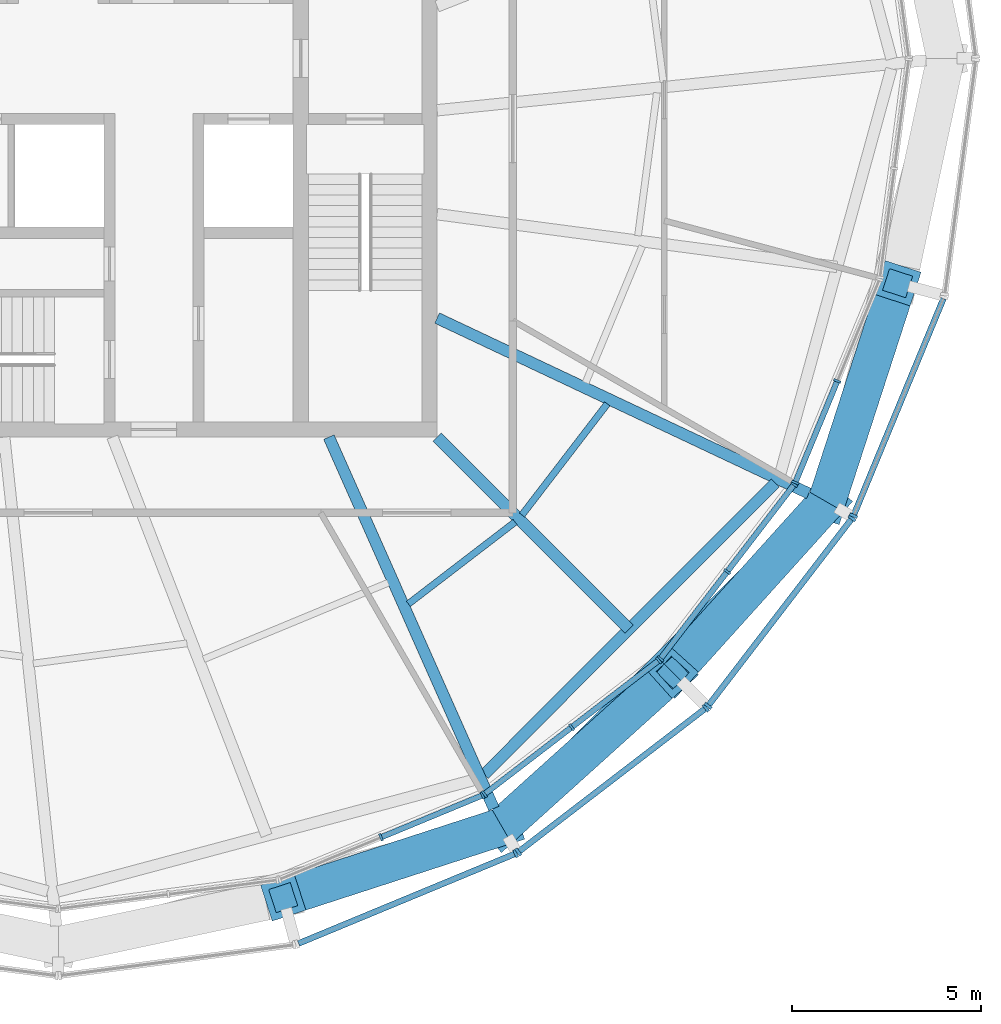
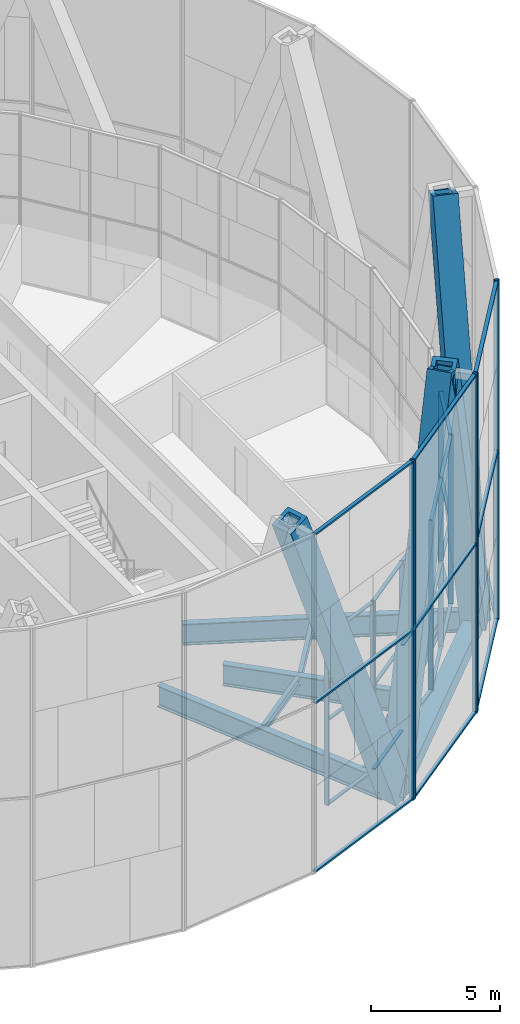
# One storey, part 4 of 22: 48 members, 7 beams, 8 elements without a shape of their own.
"""IFC4 building model written with IfcOpenShell, lengths in metres."""

from ifc_helpers import new_model, si_unit, direction, frame, origin, origin_2d, place, context, subcontext, project, spatial, rectangle, hollow_rectangle, i_section, extrude, material, material_profile, profile_set, type_object, element, aggregate, save


model = new_model("IFC4")

# Units and contexts
model_context = context("Model", 3, precision=1e-05, world=origin(), true_north=direction((0.0, 1.0)))
body_context = subcontext(model_context, "Body", "Model", "MODEL_VIEW")
ifc_project = project(units=[si_unit("LENGTHUNIT", "METRE"), si_unit("AREAUNIT", "SQUARE_METRE"), si_unit("VOLUMEUNIT", "CUBIC_METRE"), si_unit("PLANEANGLEUNIT", "RADIAN"), si_unit("MASSUNIT", "GRAM", prefix="KILO")], contexts=[model_context])

# Site, building, storey
site_placement = place(None, origin())
site = spatial("IfcSite", under=ifc_project, at=site_placement, CompositionType="ELEMENT")
building_placement = place(site_placement, origin())
building = spatial("IfcBuilding", under=site, at=building_placement, Name="Golbaran Civic Tower", CompositionType="ELEMENT")
storey_placement = place(building_placement, frame((0.0, 0.0, 248.0)))
storey = spatial("IfcBuildingStorey", under=building, at=storey_placement, Name="L60", CompositionType="ELEMENT", Elevation=248.0)

# Members
ifc_material_1 = material(Name="Steel S355", Category="steel")
ifc_material_profile_1 = material_profile(ifc_material_1, hollow_rectangle(XDim=1.0, YDim=1.0, WallThickness=0.179931640625, at=origin_2d()), Name="BOX 1000x1000x180")
ifc_profile_set_1 = profile_set([ifc_material_profile_1], Name="Steel S355")
member_type_1 = type_object("IfcMemberType", Name="DIAGRID DIAGONAL BOX 1000x1000x180", PredefinedType="BRACE", material=ifc_profile_set_1)
for number, where, z_axis, x_axis, name in (
    (1, (11.71142578125, -20.284912109375, -0.7099609375), (0.263444958098, 0.237551283293, 0.934968524528), (-0.669666578156, 0.742661884104, 0.0), "Diagonal D14-10R L60-L64"),
    (2, (11.71142578125, -20.284912109375, -0.7099609375), (-0.337445812256, -0.109367082262, 0.934970141292), (0.30831388725, -0.951284682379, 0.0), "Diagonal D14-10L L60-L64"),
    (3, (20.284912109375, -11.71142578125, -0.7099609375), (0.109367082262, 0.337445812256, 0.934970141292), (-0.951284682379, 0.30831388725, 0.0), "Diagonal D14-11R L60-L64"),
    (4, (20.284912109375, -11.71142578125, -0.7099609375), (-0.237551283293, -0.263444958098, 0.934968524528), (0.742661884104, -0.669666578156, 0.0), "Diagonal D14-11L L60-L64"),
):
    element("IfcMember", number, at=place(storey_placement, frame(where, z_axis=z_axis, x_axis=x_axis)), inside=storey, type_object=member_type_1, Name=name, PredefinedType="BRACE", context=body_context, shape_type="SweptSolid", body=[
        extrude(hollow_rectangle(XDim=1.0, YDim=1.0, WallThickness=0.179931640625, at=origin_2d()), origin(), (0.0, 0.0, 1.0), 17.11279296875),
    ])

# Beams
ifc_material_profile_2 = material_profile(ifc_material_1, hollow_rectangle(XDim=0.699951171875, YDim=0.699951171875, WallThickness=0.080078125, at=origin_2d()), Name="BOX 700x700x80")
ifc_profile_set_2 = profile_set([ifc_material_profile_2], Name="Steel S355")
beam_type_1 = type_object("IfcBeamType", Name="DIAGRID RING TIE BOX 700x700x80", PredefinedType="BEAM", material=ifc_profile_set_2)
beam_1_placement = place(storey_placement, frame((11.71142578125, -20.284912109375, -0.7099609375), z_axis=(0.707106781187, 0.707106781187, 0.0), x_axis=(-0.707106781187, 0.707106781187, 0.0)))
element("IfcBeam", 5, at=beam_1_placement, inside=storey, type_object=beam_type_1, Name="Ring tie 300.00 L60", PredefinedType="BEAM", context=body_context, shape_type="SweptSolid", body=[
    extrude(hollow_rectangle(XDim=0.699951171875, YDim=0.699951171875, WallThickness=0.080078125, at=origin_2d()), origin(), (0.0, 0.0, 1.0), 12.124755859375),
])
ifc_material_profile_3 = material_profile(ifc_material_1, i_section(OverallWidth=0.300048828125, OverallDepth=0.800048828125, WebThickness=0.017578125, FlangeThickness=0.032958984375, FilletRadius=0.030029296875, at=origin_2d()), Name="HEB 800")
ifc_profile_set_3 = profile_set([ifc_material_profile_3], Name="Steel S355")
beam_type_2 = type_object("IfcBeamType", Name="EDGE BEAM HEB 800", PredefinedType="BEAM", material=ifc_profile_set_3)
beam_2_placement = place(storey_placement, frame((11.240966796875, -18.905517578125, -0.60009765625), z_axis=(0.70659009574, 0.707623089365, 0.0), x_axis=(-0.707623089365, 0.70659009574, 0.0)))
element("IfcBeam", 6, at=beam_2_placement, inside=storey, type_object=beam_type_2, Name="Edge beam 300.00 L60", PredefinedType="BEAM", context=body_context, shape_type="SweptSolid", body=[
    extrude(i_section(OverallWidth=0.300048828125, OverallDepth=0.800048828125, WebThickness=0.017578125, FlangeThickness=0.032958984375, FilletRadius=0.030029296875, at=origin_2d()), origin(), (0.0, 0.0, 1.0), 10.871826171875),
])
ifc_material_profile_4 = material_profile(ifc_material_1, i_section(OverallWidth=0.179931640625, OverallDepth=0.39990234375, WebThickness=0.008544921875, FlangeThickness=0.013427734375, FilletRadius=0.02099609375, at=origin_2d()), Name="IPE 400")
ifc_profile_set_4 = profile_set([ifc_material_profile_4], Name="Steel S355")
beam_type_3 = type_object("IfcBeamType", Name="FLOOR INFILL BEAM IPE 400", PredefinedType="BEAM", material=ifc_profile_set_4)
beam_3_placement = place(storey_placement, frame((9.24072265625, -14.402587890625, -0.39990234375), z_axis=(0.793341764816, 0.608776514165, 0.0), x_axis=(-0.608776514165, 0.793341764816, 0.0)))
element("IfcBeam", 7, at=beam_3_placement, inside=storey, type_object=beam_type_3, Name="Infill beam 307.50 L60", PredefinedType="BEAM", context=body_context, shape_type="SweptSolid", body=[
    extrude(i_section(OverallWidth=0.179931640625, OverallDepth=0.39990234375, WebThickness=0.008544921875, FlangeThickness=0.013427734375, FilletRadius=0.02099609375, at=origin_2d()), origin(), (0.0, 0.0, 1.0), 3.55029296875),
])
beam_4_placement = place(storey_placement, frame((12.23974609375, -12.055908203125, -0.39990234375), z_axis=(0.608801399042, 0.793322668606, 0.0), x_axis=(-0.793322668606, 0.608801399042, 0.0)))
element("IfcBeam", 8, at=beam_4_placement, inside=storey, type_object=beam_type_3, Name="Infill beam 322.50 L60", PredefinedType="BEAM", context=body_context, shape_type="SweptSolid", body=[
    extrude(i_section(OverallWidth=0.179931640625, OverallDepth=0.39990234375, WebThickness=0.008544921875, FlangeThickness=0.013427734375, FilletRadius=0.02099609375, at=origin_2d()), origin(), (0.0, 0.0, 1.0), 3.699462890625),
])

# Curtain wall, members
ifc_material_2 = material(Name="Aluminium and glass", Category="aluminium")
curtain_wall_type_1 = type_object("IfcCurtainWallType", Name="INNER SKIN CURTAIN WALL EXECUTIVE", PredefinedType="NOTDEFINED", material=ifc_material_2)
curtain_wall_1_placement = place(storey_placement, origin())
curtain_wall_1 = element("IfcCurtainWall", 9, at=curtain_wall_1_placement, inside=storey, type_object=curtain_wall_type_1, Name="Inner skin L60 facet 20 CW2", ObjectType="INNER SKIN", PredefinedType="USERDEFINED")
ifc_material_3 = material(Name="Aluminium", Category="aluminium")
ifc_material_profile_5 = material_profile(ifc_material_3, rectangle(XDim=0.199951171875, YDim=0.06005859375, at=origin_2d()), Name="INNER SKIN CURTAIN WALL EXECUTIVE MULLION")
ifc_profile_set_5 = profile_set([ifc_material_profile_5], Name="Aluminium")
member_type_2 = type_object("IfcMemberType", Name="INNER SKIN CURTAIN WALL EXECUTIVE MULLION", PredefinedType="MULLION", material=ifc_profile_set_5)
member_1_placement = place(storey_placement, frame((8.5185546875, -20.5654296875, 0.0), z_axis=(0.0, 0.0, 1.0), x_axis=(-0.382683432381, 0.923879532505, 0.0)))
member_1 = element("IfcMember", 10, at=member_1_placement, type_object=member_type_2, Name="CW2 mullion 2", PredefinedType="MULLION", context=body_context, shape_type="SweptSolid", body=[
    extrude(rectangle(XDim=0.199951171875, YDim=0.06005859375, at=origin_2d()), origin(), (0.0, 0.0, 1.0), 8.0),
])
member_2_placement = place(storey_placement, frame((11.1982421875, -19.45556640625, 0.0), z_axis=(0.0, 0.0, 1.0), x_axis=(-0.382683432381, 0.923879532505, 0.0)))
member_2 = element("IfcMember", 11, at=member_2_placement, type_object=member_type_2, Name="CW2 mullion 3", PredefinedType="MULLION", context=body_context, shape_type="SweptSolid", body=[
    extrude(rectangle(XDim=0.199951171875, YDim=0.06005859375, at=origin_2d()), origin(), (0.0, 0.0, 1.0), 8.0),
])

curtain_wall_2_placement = place(storey_placement, origin())
curtain_wall_2 = element("IfcCurtainWall", 12, at=curtain_wall_2_placement, inside=storey, type_object=curtain_wall_type_1, Name="Inner skin L60 facet 21 CW2", ObjectType="INNER SKIN", PredefinedType="USERDEFINED")
member_3_placement = place(storey_placement, frame((11.249755859375, -19.42578125, 0.0), z_axis=(0.0, 0.0, 1.0), x_axis=(-0.608761429078, 0.793353340238, 0.0)))
member_3 = element("IfcMember", 13, at=member_3_placement, type_object=member_type_2, Name="CW2 mullion 1", PredefinedType="MULLION", context=body_context, shape_type="SweptSolid", body=[
    extrude(rectangle(XDim=0.199951171875, YDim=0.06005859375, at=origin_2d()), origin(), (0.0, 0.0, 1.0), 8.0),
])
member_4_placement = place(storey_placement, frame((13.551025390625, -17.659912109375, 0.0), z_axis=(0.0, 0.0, 1.0), x_axis=(-0.608761429078, 0.793353340238, 0.0)))
member_4 = element("IfcMember", 14, at=member_4_placement, type_object=member_type_2, Name="CW2 mullion 2", PredefinedType="MULLION", context=body_context, shape_type="SweptSolid", body=[
    extrude(rectangle(XDim=0.199951171875, YDim=0.06005859375, at=origin_2d()), origin(), (0.0, 0.0, 1.0), 8.0),
])
member_5_placement = place(storey_placement, frame((15.85205078125, -15.894287109375, 0.0), z_axis=(0.0, 0.0, 1.0), x_axis=(-0.608761429078, 0.793353340238, 0.0)))
member_5 = element("IfcMember", 15, at=member_5_placement, type_object=member_type_2, Name="CW2 mullion 3", PredefinedType="MULLION", context=body_context, shape_type="SweptSolid", body=[
    extrude(rectangle(XDim=0.199951171875, YDim=0.06005859375, at=origin_2d()), origin(), (0.0, 0.0, 1.0), 8.0),
])

curtain_wall_3_placement = place(storey_placement, origin())
curtain_wall_3 = element("IfcCurtainWall", 16, at=curtain_wall_3_placement, inside=storey, type_object=curtain_wall_type_1, Name="Inner skin L60 facet 22 CW2", ObjectType="INNER SKIN", PredefinedType="USERDEFINED")
member_6_placement = place(storey_placement, frame((15.894287109375, -15.85205078125, 0.0), z_axis=(0.0, 0.0, 1.0), x_axis=(-0.793353340238, 0.608761429078, 0.0)))
member_6 = element("IfcMember", 17, at=member_6_placement, type_object=member_type_2, Name="CW2 mullion 1", PredefinedType="MULLION", context=body_context, shape_type="SweptSolid", body=[
    extrude(rectangle(XDim=0.199951171875, YDim=0.06005859375, at=origin_2d()), origin(), (0.0, 0.0, 1.0), 8.0),
])
member_7_placement = place(storey_placement, frame((17.659912109375, -13.551025390625, 0.0), z_axis=(0.0, 0.0, 1.0), x_axis=(-0.793353340238, 0.608761429078, 0.0)))
member_7 = element("IfcMember", 18, at=member_7_placement, type_object=member_type_2, Name="CW2 mullion 2", PredefinedType="MULLION", context=body_context, shape_type="SweptSolid", body=[
    extrude(rectangle(XDim=0.199951171875, YDim=0.06005859375, at=origin_2d()), origin(), (0.0, 0.0, 1.0), 8.0),
])
member_8_placement = place(storey_placement, frame((19.42578125, -11.249755859375, 0.0), z_axis=(0.0, 0.0, 1.0), x_axis=(-0.793353340238, 0.608761429078, 0.0)))
member_8 = element("IfcMember", 19, at=member_8_placement, type_object=member_type_2, Name="CW2 mullion 3", PredefinedType="MULLION", context=body_context, shape_type="SweptSolid", body=[
    extrude(rectangle(XDim=0.199951171875, YDim=0.06005859375, at=origin_2d()), origin(), (0.0, 0.0, 1.0), 8.0),
])

curtain_wall_4_placement = place(storey_placement, origin())
curtain_wall_4 = element("IfcCurtainWall", 20, at=curtain_wall_4_placement, inside=storey, type_object=curtain_wall_type_1, Name="Inner skin L60 facet 23 CW2", ObjectType="INNER SKIN", PredefinedType="USERDEFINED")
member_9_placement = place(storey_placement, frame((19.45556640625, -11.1982421875, 0.0), z_axis=(0.0, 0.0, 1.0), x_axis=(-0.923879532505, 0.382683432381, 0.0)))
member_9 = element("IfcMember", 21, at=member_9_placement, type_object=member_type_2, Name="CW2 mullion 1", PredefinedType="MULLION", context=body_context, shape_type="SweptSolid", body=[
    extrude(rectangle(XDim=0.199951171875, YDim=0.06005859375, at=origin_2d()), origin(), (0.0, 0.0, 1.0), 8.0),
])
member_10_placement = place(storey_placement, frame((20.5654296875, -8.5185546875, 0.0), z_axis=(0.0, 0.0, 1.0), x_axis=(-0.923879532505, 0.382683432381, 0.0)))
member_10 = element("IfcMember", 22, at=member_10_placement, type_object=member_type_2, Name="CW2 mullion 2", PredefinedType="MULLION", context=body_context, shape_type="SweptSolid", body=[
    extrude(rectangle(XDim=0.199951171875, YDim=0.06005859375, at=origin_2d()), origin(), (0.0, 0.0, 1.0), 8.0),
])

# Member
ifc_material_profile_6 = material_profile(ifc_material_3, rectangle(XDim=0.14990234375, YDim=0.06005859375, at=origin_2d()), Name="INNER SKIN CURTAIN WALL EXECUTIVE TRANSOM")
ifc_profile_set_6 = profile_set([ifc_material_profile_6], Name="Aluminium")
member_type_3 = type_object("IfcMemberType", Name="INNER SKIN CURTAIN WALL EXECUTIVE TRANSOM", PredefinedType="USERDEFINED", material=ifc_profile_set_6)
member_11_placement = place(storey_placement, frame((8.546142578125, -20.553955078125, 0.030029296875), z_axis=(0.923903711694, 0.382625053438, 0.0), x_axis=(-0.382625053438, 0.923903711694, 0.0)))
member_11 = element("IfcMember", 23, at=member_11_placement, type_object=member_type_3, Name="CW2 transom 2.1", ObjectType="TRANSOM", PredefinedType="USERDEFINED", context=body_context, shape_type="SweptSolid", body=[
    extrude(rectangle(XDim=0.14990234375, YDim=0.06005859375, at=origin_2d()), origin(), (0.0, 0.0, 1.0), 2.840576171875),
])

member_12_placement = place(storey_placement, frame((8.546142578125, -20.553955078125, 4.0), z_axis=(0.923903711694, 0.382625053438, 0.0), x_axis=(-0.382625053438, 0.923903711694, 0.0)))
member_12 = element("IfcMember", 24, at=member_12_placement, type_object=member_type_3, Name="CW2 transom 2.2", ObjectType="TRANSOM", PredefinedType="USERDEFINED", context=body_context, shape_type="SweptSolid", body=[
    extrude(rectangle(XDim=0.14990234375, YDim=0.06005859375, at=origin_2d()), origin(), (0.0, 0.0, 1.0), 2.840576171875),
])

member_13_placement = place(storey_placement, frame((8.546142578125, -20.553955078125, 7.969970703125), z_axis=(0.923903711694, 0.382625053438, 0.0), x_axis=(-0.382625053438, 0.923903711694, 0.0)))
member_13 = element("IfcMember", 25, at=member_13_placement, type_object=member_type_3, Name="CW2 transom 2.3", ObjectType="TRANSOM", PredefinedType="USERDEFINED", context=body_context, shape_type="SweptSolid", body=[
    extrude(rectangle(XDim=0.14990234375, YDim=0.06005859375, at=origin_2d()), origin(), (0.0, 0.0, 1.0), 2.840576171875),
])

aggregate(curtain_wall_1, [member_1, member_2, member_11, member_12, member_13])

member_14_placement = place(storey_placement, frame((11.273681640625, -19.407470703125, 0.030029296875), z_axis=(0.793329599368, 0.608792367533, 0.0), x_axis=(-0.608792367533, 0.793329599368, 0.0)))
member_14 = element("IfcMember", 26, at=member_14_placement, type_object=member_type_3, Name="CW2 transom 1.1", ObjectType="TRANSOM", PredefinedType="USERDEFINED", context=body_context, shape_type="SweptSolid", body=[
    extrude(rectangle(XDim=0.14990234375, YDim=0.06005859375, at=origin_2d()), origin(), (0.0, 0.0, 1.0), 2.840576171875),
])

member_15_placement = place(storey_placement, frame((11.273681640625, -19.407470703125, 4.0), z_axis=(0.793329599368, 0.608792367533, 0.0), x_axis=(-0.608792367533, 0.793329599368, 0.0)))
member_15 = element("IfcMember", 27, at=member_15_placement, type_object=member_type_3, Name="CW2 transom 1.2", ObjectType="TRANSOM", PredefinedType="USERDEFINED", context=body_context, shape_type="SweptSolid", body=[
    extrude(rectangle(XDim=0.14990234375, YDim=0.06005859375, at=origin_2d()), origin(), (0.0, 0.0, 1.0), 2.840576171875),
])

member_16_placement = place(storey_placement, frame((11.273681640625, -19.407470703125, 7.969970703125), z_axis=(0.793329599368, 0.608792367533, 0.0), x_axis=(-0.608792367533, 0.793329599368, 0.0)))
member_16 = element("IfcMember", 28, at=member_16_placement, type_object=member_type_3, Name="CW2 transom 1.3", ObjectType="TRANSOM", PredefinedType="USERDEFINED", context=body_context, shape_type="SweptSolid", body=[
    extrude(rectangle(XDim=0.14990234375, YDim=0.06005859375, at=origin_2d()), origin(), (0.0, 0.0, 1.0), 2.840576171875),
])

member_17_placement = place(storey_placement, frame((13.57470703125, -17.6416015625, 0.030029296875), z_axis=(0.793402960489, 0.608696757251, 0.0), x_axis=(-0.608696757251, 0.793402960489, 0.0)))
member_17 = element("IfcMember", 29, at=member_17_placement, type_object=member_type_3, Name="CW2 transom 2.1", ObjectType="TRANSOM", PredefinedType="USERDEFINED", context=body_context, shape_type="SweptSolid", body=[
    extrude(rectangle(XDim=0.14990234375, YDim=0.06005859375, at=origin_2d()), origin(), (0.0, 0.0, 1.0), 2.840576171875),
])

member_18_placement = place(storey_placement, frame((13.57470703125, -17.6416015625, 4.0), z_axis=(0.793402960489, 0.608696757251, 0.0), x_axis=(-0.608696757251, 0.793402960489, 0.0)))
member_18 = element("IfcMember", 30, at=member_18_placement, type_object=member_type_3, Name="CW2 transom 2.2", ObjectType="TRANSOM", PredefinedType="USERDEFINED", context=body_context, shape_type="SweptSolid", body=[
    extrude(rectangle(XDim=0.14990234375, YDim=0.06005859375, at=origin_2d()), origin(), (0.0, 0.0, 1.0), 2.840576171875),
])

member_19_placement = place(storey_placement, frame((13.57470703125, -17.6416015625, 7.969970703125), z_axis=(0.793402960489, 0.608696757251, 0.0), x_axis=(-0.608696757251, 0.793402960489, 0.0)))
member_19 = element("IfcMember", 31, at=member_19_placement, type_object=member_type_3, Name="CW2 transom 2.3", ObjectType="TRANSOM", PredefinedType="USERDEFINED", context=body_context, shape_type="SweptSolid", body=[
    extrude(rectangle(XDim=0.14990234375, YDim=0.06005859375, at=origin_2d()), origin(), (0.0, 0.0, 1.0), 2.840576171875),
])

aggregate(curtain_wall_2, [member_3, member_4, member_5, member_14, member_15, member_16, member_17, member_18, member_19])

member_20_placement = place(storey_placement, frame((15.91259765625, -15.828369140625, 0.030029296875), z_axis=(0.608696757251, 0.793402960489, 0.0), x_axis=(-0.793402960489, 0.608696757251, 0.0)))
member_20 = element("IfcMember", 32, at=member_20_placement, type_object=member_type_3, Name="CW2 transom 1.1", ObjectType="TRANSOM", PredefinedType="USERDEFINED", context=body_context, shape_type="SweptSolid", body=[
    extrude(rectangle(XDim=0.14990234375, YDim=0.06005859375, at=origin_2d()), origin(), (0.0, 0.0, 1.0), 2.840576171875),
])

member_21_placement = place(storey_placement, frame((15.91259765625, -15.828369140625, 4.0), z_axis=(0.608696757251, 0.793402960489, 0.0), x_axis=(-0.793402960489, 0.608696757251, 0.0)))
member_21 = element("IfcMember", 33, at=member_21_placement, type_object=member_type_3, Name="CW2 transom 1.2", ObjectType="TRANSOM", PredefinedType="USERDEFINED", context=body_context, shape_type="SweptSolid", body=[
    extrude(rectangle(XDim=0.14990234375, YDim=0.06005859375, at=origin_2d()), origin(), (0.0, 0.0, 1.0), 2.840576171875),
])

member_22_placement = place(storey_placement, frame((15.91259765625, -15.828369140625, 7.969970703125), z_axis=(0.608696757251, 0.793402960489, 0.0), x_axis=(-0.793402960489, 0.608696757251, 0.0)))
member_22 = element("IfcMember", 34, at=member_22_placement, type_object=member_type_3, Name="CW2 transom 1.3", ObjectType="TRANSOM", PredefinedType="USERDEFINED", context=body_context, shape_type="SweptSolid", body=[
    extrude(rectangle(XDim=0.14990234375, YDim=0.06005859375, at=origin_2d()), origin(), (0.0, 0.0, 1.0), 2.840576171875),
])

member_23_placement = place(storey_placement, frame((17.67822265625, -13.527099609375, 0.030029296875), z_axis=(0.608792367533, 0.793329599368, 0.0), x_axis=(-0.793329599368, 0.608792367533, 0.0)))
member_23 = element("IfcMember", 35, at=member_23_placement, type_object=member_type_3, Name="CW2 transom 2.1", ObjectType="TRANSOM", PredefinedType="USERDEFINED", context=body_context, shape_type="SweptSolid", body=[
    extrude(rectangle(XDim=0.14990234375, YDim=0.06005859375, at=origin_2d()), origin(), (0.0, 0.0, 1.0), 2.840576171875),
])

member_24_placement = place(storey_placement, frame((17.67822265625, -13.527099609375, 4.0), z_axis=(0.608792367533, 0.793329599368, 0.0), x_axis=(-0.793329599368, 0.608792367533, 0.0)))
member_24 = element("IfcMember", 36, at=member_24_placement, type_object=member_type_3, Name="CW2 transom 2.2", ObjectType="TRANSOM", PredefinedType="USERDEFINED", context=body_context, shape_type="SweptSolid", body=[
    extrude(rectangle(XDim=0.14990234375, YDim=0.06005859375, at=origin_2d()), origin(), (0.0, 0.0, 1.0), 2.840576171875),
])

member_25_placement = place(storey_placement, frame((17.67822265625, -13.527099609375, 7.969970703125), z_axis=(0.608792367533, 0.793329599368, 0.0), x_axis=(-0.793329599368, 0.608792367533, 0.0)))
member_25 = element("IfcMember", 37, at=member_25_placement, type_object=member_type_3, Name="CW2 transom 2.3", ObjectType="TRANSOM", PredefinedType="USERDEFINED", context=body_context, shape_type="SweptSolid", body=[
    extrude(rectangle(XDim=0.14990234375, YDim=0.06005859375, at=origin_2d()), origin(), (0.0, 0.0, 1.0), 2.840576171875),
])

aggregate(curtain_wall_3, [member_6, member_7, member_8, member_20, member_21, member_22, member_23, member_24, member_25])

member_26_placement = place(storey_placement, frame((19.467041015625, -11.170654296875, 0.030029296875), z_axis=(0.382625053438, 0.923903711694, 0.0), x_axis=(-0.923903711694, 0.382625053438, 0.0)))
member_26 = element("IfcMember", 38, at=member_26_placement, type_object=member_type_3, Name="CW2 transom 1.1", ObjectType="TRANSOM", PredefinedType="USERDEFINED", context=body_context, shape_type="SweptSolid", body=[
    extrude(rectangle(XDim=0.14990234375, YDim=0.06005859375, at=origin_2d()), origin(), (0.0, 0.0, 1.0), 2.840576171875),
])

member_27_placement = place(storey_placement, frame((19.467041015625, -11.170654296875, 4.0), z_axis=(0.382625053438, 0.923903711694, 0.0), x_axis=(-0.923903711694, 0.382625053438, 0.0)))
member_27 = element("IfcMember", 39, at=member_27_placement, type_object=member_type_3, Name="CW2 transom 1.2", ObjectType="TRANSOM", PredefinedType="USERDEFINED", context=body_context, shape_type="SweptSolid", body=[
    extrude(rectangle(XDim=0.14990234375, YDim=0.06005859375, at=origin_2d()), origin(), (0.0, 0.0, 1.0), 2.840576171875),
])

member_28_placement = place(storey_placement, frame((19.467041015625, -11.170654296875, 7.969970703125), z_axis=(0.382625053438, 0.923903711694, 0.0), x_axis=(-0.923903711694, 0.382625053438, 0.0)))
member_28 = element("IfcMember", 40, at=member_28_placement, type_object=member_type_3, Name="CW2 transom 1.3", ObjectType="TRANSOM", PredefinedType="USERDEFINED", context=body_context, shape_type="SweptSolid", body=[
    extrude(rectangle(XDim=0.14990234375, YDim=0.06005859375, at=origin_2d()), origin(), (0.0, 0.0, 1.0), 2.840576171875),
])

aggregate(curtain_wall_4, [member_9, member_10, member_26, member_27, member_28])

# Curtain wall, member
curtain_wall_type_2 = type_object("IfcCurtainWallType", Name="OUTER SKIN TERRACOTTA SCREEN", PredefinedType="NOTDEFINED", material=ifc_material_2)
curtain_wall_5_placement = place(storey_placement, origin())
curtain_wall_5 = element("IfcCurtainWall", 41, at=curtain_wall_5_placement, inside=storey, type_object=curtain_wall_type_2, Name="Outer skin L60 facet 20 CW3", ObjectType="OUTER SKIN", PredefinedType="USERDEFINED")
ifc_material_profile_7 = material_profile(ifc_material_3, rectangle(XDim=0.219970703125, YDim=0.080078125, at=origin_2d()), Name="OUTER SKIN TERRACOTTA SCREEN MULLION")
ifc_profile_set_7 = profile_set([ifc_material_profile_7], Name="Aluminium")
member_type_4 = type_object("IfcMemberType", Name="OUTER SKIN TERRACOTTA SCREEN MULLION", PredefinedType="MULLION", material=ifc_profile_set_7)
member_29_placement = place(storey_placement, frame((12.074462890625, -20.992919921875, -0.7099609375), z_axis=(0.0, 0.0, 1.0), x_axis=(-0.382683432349, 0.923879532518, 0.0)))
member_29 = element("IfcMember", 42, at=member_29_placement, type_object=member_type_4, Name="CW3 mullion 2", PredefinedType="MULLION", context=body_context, shape_type="SweptSolid", body=[
    extrude(rectangle(XDim=0.219970703125, YDim=0.080078125, at=origin_2d()), origin(), (0.0, 0.0, 1.0), 16.0),
])

# Curtain wall, members
curtain_wall_6_placement = place(storey_placement, origin())
curtain_wall_6 = element("IfcCurtainWall", 43, at=curtain_wall_6_placement, inside=storey, type_object=curtain_wall_type_2, Name="Outer skin L60 facet 21 CW3", ObjectType="OUTER SKIN", PredefinedType="USERDEFINED")
member_30_placement = place(storey_placement, frame((12.143310546875, -20.953369140625, -0.7099609375), z_axis=(0.0, 0.0, 1.0), x_axis=(-0.608761428967, 0.793353340323, 0.0)))
member_30 = element("IfcMember", 44, at=member_30_placement, type_object=member_type_4, Name="CW3 mullion 1", PredefinedType="MULLION", context=body_context, shape_type="SweptSolid", body=[
    extrude(rectangle(XDim=0.219970703125, YDim=0.080078125, at=origin_2d()), origin(), (0.0, 0.0, 1.0), 16.0),
])
member_31_placement = place(storey_placement, frame((17.096435546875, -17.152587890625, -0.7099609375), z_axis=(0.0, 0.0, 1.0), x_axis=(-0.608761428967, 0.793353340323, 0.0)))
member_31 = element("IfcMember", 45, at=member_31_placement, type_object=member_type_4, Name="CW3 mullion 2", PredefinedType="MULLION", context=body_context, shape_type="SweptSolid", body=[
    extrude(rectangle(XDim=0.219970703125, YDim=0.080078125, at=origin_2d()), origin(), (0.0, 0.0, 1.0), 16.0),
])

curtain_wall_7_placement = place(storey_placement, origin())
curtain_wall_7 = element("IfcCurtainWall", 46, at=curtain_wall_7_placement, inside=storey, type_object=curtain_wall_type_2, Name="Outer skin L60 facet 22 CW3", ObjectType="OUTER SKIN", PredefinedType="USERDEFINED")
member_32_placement = place(storey_placement, frame((17.152587890625, -17.096435546875, -0.7099609375), z_axis=(0.0, 0.0, 1.0), x_axis=(-0.793353340323, 0.608761428967, 0.0)))
member_32 = element("IfcMember", 47, at=member_32_placement, type_object=member_type_4, Name="CW3 mullion 1", PredefinedType="MULLION", context=body_context, shape_type="SweptSolid", body=[
    extrude(rectangle(XDim=0.219970703125, YDim=0.080078125, at=origin_2d()), origin(), (0.0, 0.0, 1.0), 16.0),
])
member_33_placement = place(storey_placement, frame((20.953369140625, -12.143310546875, -0.7099609375), z_axis=(0.0, 0.0, 1.0), x_axis=(-0.793353340323, 0.608761428967, 0.0)))
member_33 = element("IfcMember", 48, at=member_33_placement, type_object=member_type_4, Name="CW3 mullion 2", PredefinedType="MULLION", context=body_context, shape_type="SweptSolid", body=[
    extrude(rectangle(XDim=0.219970703125, YDim=0.080078125, at=origin_2d()), origin(), (0.0, 0.0, 1.0), 16.0),
])

# Curtain wall, member
curtain_wall_8_placement = place(storey_placement, origin())
curtain_wall_8 = element("IfcCurtainWall", 49, at=curtain_wall_8_placement, inside=storey, type_object=curtain_wall_type_2, Name="Outer skin L60 facet 23 CW3", ObjectType="OUTER SKIN", PredefinedType="USERDEFINED")
member_34_placement = place(storey_placement, frame((20.992919921875, -12.074462890625, -0.7099609375), z_axis=(0.0, 0.0, 1.0), x_axis=(-0.923879532518, 0.382683432349, 0.0)))
member_34 = element("IfcMember", 50, at=member_34_placement, type_object=member_type_4, Name="CW3 mullion 1", PredefinedType="MULLION", context=body_context, shape_type="SweptSolid", body=[
    extrude(rectangle(XDim=0.219970703125, YDim=0.080078125, at=origin_2d()), origin(), (0.0, 0.0, 1.0), 16.0),
])

# Member
ifc_material_profile_8 = material_profile(ifc_material_3, rectangle(XDim=0.159912109375, YDim=0.080078125, at=origin_2d()), Name="OUTER SKIN TERRACOTTA SCREEN TRANSOM")
ifc_profile_set_8 = profile_set([ifc_material_profile_8], Name="Aluminium")
member_type_5 = type_object("IfcMemberType", Name="OUTER SKIN TERRACOTTA SCREEN TRANSOM", PredefinedType="USERDEFINED", material=ifc_profile_set_8)
member_35_placement = place(storey_placement, frame((6.34326171875, -23.366943359375, -0.669921875), z_axis=(0.923881172835, 0.38267947225, 0.0), x_axis=(-0.38267947225, 0.923881172835, 0.0)))
member_35 = element("IfcMember", 51, at=member_35_placement, type_object=member_type_5, Name="CW3 transom 1.1", ObjectType="TRANSOM", PredefinedType="USERDEFINED", context=body_context, shape_type="SweptSolid", body=[
    extrude(rectangle(XDim=0.159912109375, YDim=0.080078125, at=origin_2d()), origin(), (0.0, 0.0, 1.0), 6.16357421875),
])

member_36_placement = place(storey_placement, frame((6.34326171875, -23.366943359375, 7.2900390625), z_axis=(0.923881172835, 0.38267947225, 0.0), x_axis=(-0.38267947225, 0.923881172835, 0.0)))
member_36 = element("IfcMember", 52, at=member_36_placement, type_object=member_type_5, Name="CW3 transom 1.2", ObjectType="TRANSOM", PredefinedType="USERDEFINED", context=body_context, shape_type="SweptSolid", body=[
    extrude(rectangle(XDim=0.159912109375, YDim=0.080078125, at=origin_2d()), origin(), (0.0, 0.0, 1.0), 6.16357421875),
])

member_37_placement = place(storey_placement, frame((6.34326171875, -23.366943359375, 15.25), z_axis=(0.923881172835, 0.38267947225, 0.0), x_axis=(-0.38267947225, 0.923881172835, 0.0)))
member_37 = element("IfcMember", 53, at=member_37_placement, type_object=member_type_5, Name="CW3 transom 1.3", ObjectType="TRANSOM", PredefinedType="USERDEFINED", context=body_context, shape_type="SweptSolid", body=[
    extrude(rectangle(XDim=0.159912109375, YDim=0.080078125, at=origin_2d()), origin(), (0.0, 0.0, 1.0), 6.16357421875),
])

aggregate(curtain_wall_5, [member_29, member_35, member_36, member_37])

member_38_placement = place(storey_placement, frame((12.175048828125, -20.928955078125, -0.669921875), z_axis=(0.79335381695, 0.608760807814, 0.0), x_axis=(-0.608760807814, 0.79335381695, 0.0)))
member_38 = element("IfcMember", 54, at=member_38_placement, type_object=member_type_5, Name="CW3 transom 1.1", ObjectType="TRANSOM", PredefinedType="USERDEFINED", context=body_context, shape_type="SweptSolid", body=[
    extrude(rectangle(XDim=0.159912109375, YDim=0.080078125, at=origin_2d()), origin(), (0.0, 0.0, 1.0), 6.163330078125),
])

member_39_placement = place(storey_placement, frame((12.175048828125, -20.928955078125, 7.2900390625), z_axis=(0.79335381695, 0.608760807814, 0.0), x_axis=(-0.608760807814, 0.79335381695, 0.0)))
member_39 = element("IfcMember", 55, at=member_39_placement, type_object=member_type_5, Name="CW3 transom 1.2", ObjectType="TRANSOM", PredefinedType="USERDEFINED", context=body_context, shape_type="SweptSolid", body=[
    extrude(rectangle(XDim=0.159912109375, YDim=0.080078125, at=origin_2d()), origin(), (0.0, 0.0, 1.0), 6.163330078125),
])

member_40_placement = place(storey_placement, frame((12.175048828125, -20.928955078125, 15.25), z_axis=(0.79335381695, 0.608760807814, 0.0), x_axis=(-0.608760807814, 0.79335381695, 0.0)))
member_40 = element("IfcMember", 56, at=member_40_placement, type_object=member_type_5, Name="CW3 transom 1.3", ObjectType="TRANSOM", PredefinedType="USERDEFINED", context=body_context, shape_type="SweptSolid", body=[
    extrude(rectangle(XDim=0.159912109375, YDim=0.080078125, at=origin_2d()), origin(), (0.0, 0.0, 1.0), 6.163330078125),
])

aggregate(curtain_wall_6, [member_30, member_31, member_38, member_39, member_40])

member_41_placement = place(storey_placement, frame((17.177001953125, -17.064697265625, -0.669921875), z_axis=(0.608760807814, 0.79335381695, 0.0), x_axis=(-0.79335381695, 0.608760807814, 0.0)))
member_41 = element("IfcMember", 57, at=member_41_placement, type_object=member_type_5, Name="CW3 transom 1.1", ObjectType="TRANSOM", PredefinedType="USERDEFINED", context=body_context, shape_type="SweptSolid", body=[
    extrude(rectangle(XDim=0.159912109375, YDim=0.080078125, at=origin_2d()), origin(), (0.0, 0.0, 1.0), 6.163330078125),
])

member_42_placement = place(storey_placement, frame((17.177001953125, -17.064697265625, 7.2900390625), z_axis=(0.608760807814, 0.79335381695, 0.0), x_axis=(-0.79335381695, 0.608760807814, 0.0)))
member_42 = element("IfcMember", 58, at=member_42_placement, type_object=member_type_5, Name="CW3 transom 1.2", ObjectType="TRANSOM", PredefinedType="USERDEFINED", context=body_context, shape_type="SweptSolid", body=[
    extrude(rectangle(XDim=0.159912109375, YDim=0.080078125, at=origin_2d()), origin(), (0.0, 0.0, 1.0), 6.163330078125),
])

member_43_placement = place(storey_placement, frame((17.177001953125, -17.064697265625, 15.25), z_axis=(0.608760807814, 0.79335381695, 0.0), x_axis=(-0.79335381695, 0.608760807814, 0.0)))
member_43 = element("IfcMember", 59, at=member_43_placement, type_object=member_type_5, Name="CW3 transom 1.3", ObjectType="TRANSOM", PredefinedType="USERDEFINED", context=body_context, shape_type="SweptSolid", body=[
    extrude(rectangle(XDim=0.159912109375, YDim=0.080078125, at=origin_2d()), origin(), (0.0, 0.0, 1.0), 6.163330078125),
])

aggregate(curtain_wall_7, [member_32, member_33, member_41, member_42, member_43])

member_44_placement = place(storey_placement, frame((21.00830078125, -12.03759765625, -0.669921875), z_axis=(0.38267947225, 0.923881172835, 0.0), x_axis=(-0.923881172835, 0.38267947225, 0.0)))
member_44 = element("IfcMember", 60, at=member_44_placement, type_object=member_type_5, Name="CW3 transom 1.1", ObjectType="TRANSOM", PredefinedType="USERDEFINED", context=body_context, shape_type="SweptSolid", body=[
    extrude(rectangle(XDim=0.159912109375, YDim=0.080078125, at=origin_2d()), origin(), (0.0, 0.0, 1.0), 6.16357421875),
])

aggregate(curtain_wall_8, [member_34, member_44])

# Beams
ifc_material_profile_9 = material_profile(ifc_material_1, i_section(OverallWidth=0.300048828125, OverallDepth=1.0, WebThickness=0.01904296875, FlangeThickness=0.035888671875, FilletRadius=0.030029296875, at=origin_2d()), Name="HEB 1000")
ifc_profile_set_9 = profile_set([ifc_material_profile_9], Name="Steel S355")
beam_type_4 = type_object("IfcBeamType", Name="RADIAL FLOOR BEAM HEB 1000", PredefinedType="BEAM", material=ifc_profile_set_9)
beam_5_placement = place(storey_placement, frame((7.142822265625, -10.0, -0.7099609375), z_axis=(0.405967427293, -0.91388754668, 0.0), x_axis=(0.91388754668, 0.405967427293, 0.0)))
element("IfcBeam", 61, at=beam_5_placement, inside=storey, type_object=beam_type_4, Name="Radial beam 300.00 L60", PredefinedType="BEAM", context=body_context, shape_type="SweptSolid", body=[
    extrude(i_section(OverallWidth=0.300048828125, OverallDepth=1.0, WebThickness=0.01904296875, FlangeThickness=0.035888671875, FilletRadius=0.030029296875, at=origin_2d()), origin(), (0.0, 0.0, 1.0), 10.72802734375),
])
beam_6_placement = place(storey_placement, frame((10.0, -6.857177734375, -0.7099609375), z_axis=(0.904335745573, -0.426821812094, 0.0), x_axis=(0.426821812094, 0.904335745573, 0.0)))
element("IfcBeam", 62, at=beam_6_placement, inside=storey, type_object=beam_type_4, Name="Radial beam 330.00 L60", PredefinedType="BEAM", context=body_context, shape_type="SweptSolid", body=[
    extrude(i_section(OverallWidth=0.300048828125, OverallDepth=1.0, WebThickness=0.01904296875, FlangeThickness=0.035888671875, FilletRadius=0.030029296875, at=origin_2d()), origin(), (0.0, 0.0, 1.0), 10.850830078125),
])
ifc_material_profile_10 = material_profile(ifc_material_1, i_section(OverallWidth=0.300048828125, OverallDepth=1.0, WebThickness=0.01904296875, FlangeThickness=0.035888671875, FilletRadius=0.030029296875, at=origin_2d()), Name="HEB 1000")
ifc_profile_set_10 = profile_set([ifc_material_profile_10], Name="Steel S355")
beam_type_5 = type_object("IfcBeamType", Name="SECONDARY FLOOR BEAM HEB 1000", PredefinedType="BEAM", material=ifc_profile_set_10)
beam_7_placement = place(storey_placement, frame((10.0, -10.0, -0.7099609375), z_axis=(0.707106781187, -0.707106781187, 0.0), x_axis=(0.707106781187, 0.707106781187, 0.0)))
element("IfcBeam", 63, at=beam_7_placement, inside=storey, type_object=beam_type_5, Name="Secondary beam 315.00 L60", PredefinedType="BEAM", context=body_context, shape_type="SweptSolid", body=[
    extrude(i_section(OverallWidth=0.300048828125, OverallDepth=1.0, WebThickness=0.01904296875, FlangeThickness=0.035888671875, FilletRadius=0.030029296875, at=origin_2d()), origin(), (0.0, 0.0, 1.0), 7.1708984375),
])

save(model, "model.ifc")
